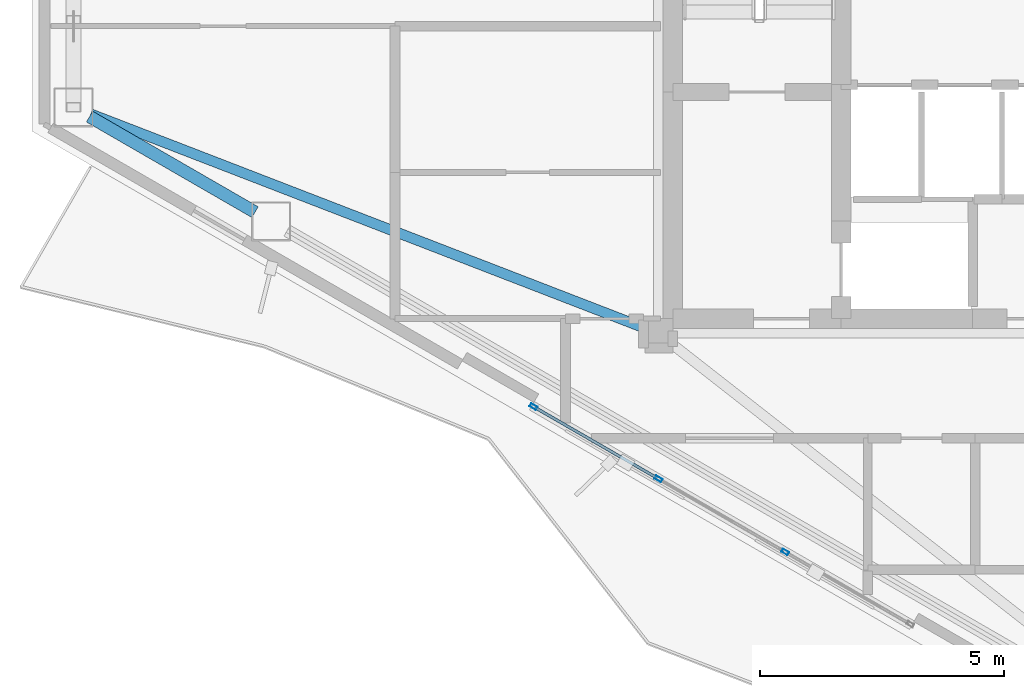
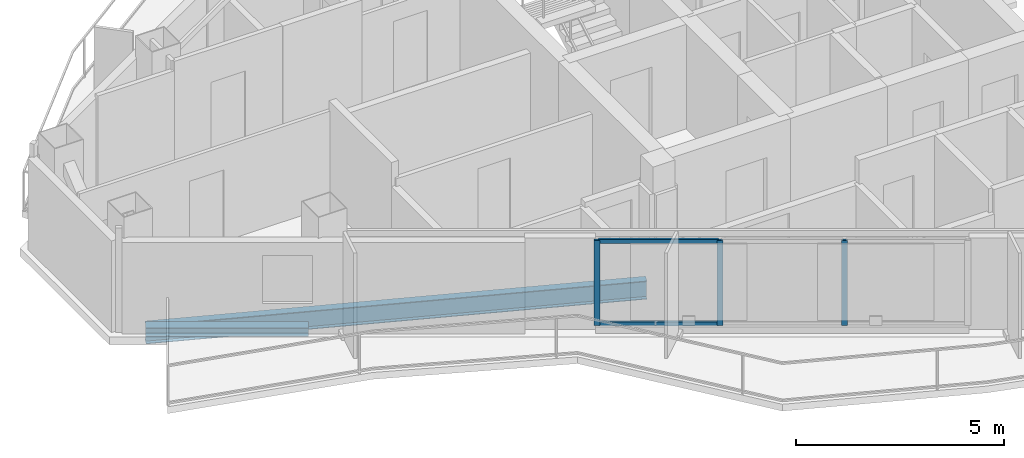
# One storey, part 2 of 22: 5 members, 2 beams, 1 element without a shape of its own.
"""IFC4 building model written with IfcOpenShell, lengths in metres."""

from ifc_helpers import new_model, si_unit, direction, frame, origin, origin_2d, place, context, subcontext, project, spatial, hollow_rectangle, i_section, extrude, material, layer, layer_set, material_profile, profile_set, type_object, element, aggregate, save


model = new_model("IFC4")

# Units and contexts
model_context = context("Model", 3, precision=1e-05, world=origin(), true_north=direction((0.0, 1.0)))
body_context = subcontext(model_context, "Body", "Model", "MODEL_VIEW")
ifc_project = project(units=[si_unit("LENGTHUNIT", "METRE"), si_unit("AREAUNIT", "SQUARE_METRE"), si_unit("VOLUMEUNIT", "CUBIC_METRE"), si_unit("PLANEANGLEUNIT", "RADIAN"), si_unit("MASSUNIT", "GRAM", prefix="KILO")], contexts=[model_context])

# Site, building, storey
site_placement = place(None, origin())
site = spatial("IfcSite", under=ifc_project, at=site_placement, CompositionType="ELEMENT")
building_placement = place(site_placement, origin())
building = spatial("IfcBuilding", under=site, at=building_placement, Name="Mersakhor Tower and Convention Hall", CompositionType="ELEMENT")
storey_placement = place(building_placement, frame((0.0, 0.0, 195.300048828125)))
storey = spatial("IfcBuildingStorey", under=building, at=storey_placement, Name="L54", CompositionType="ELEMENT", Elevation=195.300048828125)

# Beams
ifc_material_1 = material(Name="Steel S355", Category="steel")
ifc_material_profile_1 = material_profile(ifc_material_1, i_section(OverallWidth=0.2099609375, OverallDepth=0.53662109375, WebThickness=0.0107421875, FlangeThickness=0.017333984375, at=origin_2d()), Name="UB 533x210x101")
ifc_profile_set_1 = profile_set([ifc_material_profile_1], Name="Steel S355")
beam_type_1 = type_object("IfcBeamType", Name="BM-FB-533", PredefinedType="BEAM", material=ifc_profile_set_1)
beam_1_placement = place(storey_placement, frame((21.638916015625, 20.55078125, -0.49853515625), z_axis=(-0.932761425449, 0.36049427623, 0.0), x_axis=(-0.36049427623, -0.932761425449, 0.0)))
element("IfcBeam", 1, at=beam_1_placement, inside=storey, type_object=beam_type_1, Name="L54 Primary Floor Girder FG-6", PredefinedType="BEAM", context=body_context, shape_type="SweptSolid", body=[
    extrude(i_section(OverallWidth=0.2099609375, OverallDepth=0.53662109375, WebThickness=0.0107421875, FlangeThickness=0.017333984375, at=origin_2d()), origin(), (0.0, 0.0, 1.0), 12.197021484375),
])
ifc_material_2 = material(Name="Steel S355", Category="steel")
ifc_material_profile_2 = material_profile(ifc_material_2, i_section(OverallWidth=0.25634765625, OverallDepth=0.26025390625, WebThickness=0.01025390625, FlangeThickness=0.017333984375, at=origin_2d()), Name="UC 254x254x89")
ifc_profile_set_2 = profile_set([ifc_material_profile_2], Name="Steel S355")
beam_type_2 = type_object("IfcBeamType", Name="BM-SPD-UC254", PredefinedType="SPANDREL", material=ifc_profile_set_2)
beam_2_placement = place(storey_placement, frame((13.630615234375, 22.93505859375, -0.360107421875), z_axis=(-0.866007153761, 0.500031608635, 0.0), x_axis=(-0.500031608635, -0.866007153761, 0.0)))
element("IfcBeam", 2, at=beam_2_placement, inside=storey, type_object=beam_type_2, Name="L54 Perimeter Spandrel Beam SPB-11", PredefinedType="SPANDREL", context=body_context, shape_type="SweptSolid", body=[
    extrude(i_section(OverallWidth=0.25634765625, OverallDepth=0.26025390625, WebThickness=0.01025390625, FlangeThickness=0.017333984375, at=origin_2d()), origin(), (0.0, 0.0, 1.0), 3.919189453125),
])

# Curtain wall, members
ifc_material_3 = material(Name="Dark solar low-E aluminium curtain wall", Category="aluminium")
ifc_layer = layer(ifc_material_3, 0.169921875)
ifc_layer_set = layer_set([ifc_layer], Name="Dark solar low-E aluminium curtain wall")
curtain_wall_type = type_object("IfcCurtainWallType", Name="CW-SYS-02", PredefinedType="USERDEFINED", material=ifc_layer_set)
curtain_wall_placement = place(storey_placement, origin())
curtain_wall = element("IfcCurtainWall", 3, at=curtain_wall_placement, inside=storey, type_object=curtain_wall_type, Name="L54 Dark-Glass Curtain Wall F3-B2", ObjectType="CURTAIN WALL", PredefinedType="USERDEFINED")
ifc_material_4 = material(Name="Anodised aluminium EN AW-6063 T6", Category="aluminium")
ifc_material_profile_3 = material_profile(ifc_material_4, hollow_rectangle(XDim=0.074951171875, YDim=0.14990234375, WallThickness=0.00634765625, at=origin_2d()), Name="RHS 150x75x6.3")
ifc_profile_set_3 = profile_set([ifc_material_profile_3], Name="Anodised aluminium EN AW-6063 T6")
member_type_1 = type_object("IfcMemberType", Name="CWM-150x75", PredefinedType="MULLION", material=ifc_profile_set_3)
member_1_placement = place(storey_placement, frame((24.504638671875, 15.964111328125, 0.199951171875), z_axis=(0.0, 0.0, 1.0), x_axis=(-0.500007824483, -0.86602088627, 0.0)))
member_1 = element("IfcMember", 4, at=member_1_placement, type_object=member_type_1, Name="CW-02 mullion 2", PredefinedType="MULLION", context=body_context, shape_type="SweptSolid", body=[
    extrude(hollow_rectangle(XDim=0.074951171875, YDim=0.14990234375, WallThickness=0.00634765625, at=origin_2d()), origin(), (0.0, 0.0, 1.0), 2.489990234375),
])
member_2_placement = place(storey_placement, frame((21.906982421875, 17.464111328125, 0.199951171875), z_axis=(0.0, 0.0, 1.0), x_axis=(-0.500007824483, -0.86602088627, 0.0)))
member_2 = element("IfcMember", 5, at=member_2_placement, type_object=member_type_1, Name="CW-02 mullion 3", PredefinedType="MULLION", context=body_context, shape_type="SweptSolid", body=[
    extrude(hollow_rectangle(XDim=0.074951171875, YDim=0.14990234375, WallThickness=0.00634765625, at=origin_2d()), origin(), (0.0, 0.0, 1.0), 2.489990234375),
])
member_3_placement = place(storey_placement, frame((19.341796875, 18.945068359375, 0.199951171875), z_axis=(0.0, 0.0, 1.0), x_axis=(-0.500007824483, -0.86602088627, 0.0)))
member_3 = element("IfcMember", 6, at=member_3_placement, type_object=member_type_1, Name="CW-02 mullion 4", PredefinedType="MULLION", context=body_context, shape_type="SweptSolid", body=[
    extrude(hollow_rectangle(XDim=0.074951171875, YDim=0.14990234375, WallThickness=0.00634765625, at=origin_2d()), origin(), (0.0, 0.0, 1.0), 2.489990234375),
])
ifc_material_5 = material(Name="Anodised aluminium EN AW-6063 T6", Category="aluminium")
ifc_material_profile_4 = material_profile(ifc_material_5, hollow_rectangle(XDim=0.06005859375, YDim=0.1201171875, WallThickness=0.0048828125, at=origin_2d()), Name="RHS 120x60x5")
ifc_profile_set_4 = profile_set([ifc_material_profile_4], Name="Anodised aluminium EN AW-6063 T6")
member_type_2 = type_object("IfcMemberType", Name="CWT-120x60", PredefinedType="USERDEFINED", material=ifc_profile_set_4)
member_4_placement = place(storey_placement, frame((21.87451171875, 17.48291015625, 0.22998046875), z_axis=(-0.86601237176, 0.50002257145, 0.0), x_axis=(-0.50002257145, -0.86601237176, 0.0)))
member_4 = element("IfcMember", 7, at=member_4_placement, type_object=member_type_2, Name="CW-02 transom 3.1", ObjectType="TRANSOM", PredefinedType="USERDEFINED", context=body_context, shape_type="SweptSolid", body=[
    extrude(hollow_rectangle(XDim=0.06005859375, YDim=0.1201171875, WallThickness=0.0048828125, at=origin_2d()), origin(), (0.0, 0.0, 1.0), 2.886962890625),
])
member_5_placement = place(storey_placement, frame((21.87451171875, 17.48291015625, 2.659912109375), z_axis=(-0.86601237176, 0.50002257145, 0.0), x_axis=(-0.50002257145, -0.86601237176, 0.0)))
member_5 = element("IfcMember", 8, at=member_5_placement, type_object=member_type_2, Name="CW-02 transom 3.2", ObjectType="TRANSOM", PredefinedType="USERDEFINED", context=body_context, shape_type="SweptSolid", body=[
    extrude(hollow_rectangle(XDim=0.06005859375, YDim=0.1201171875, WallThickness=0.0048828125, at=origin_2d()), origin(), (0.0, 0.0, 1.0), 2.886962890625),
])
aggregate(curtain_wall, [member_1, member_2, member_3, member_4, member_5])

save(model, "model.ifc")
